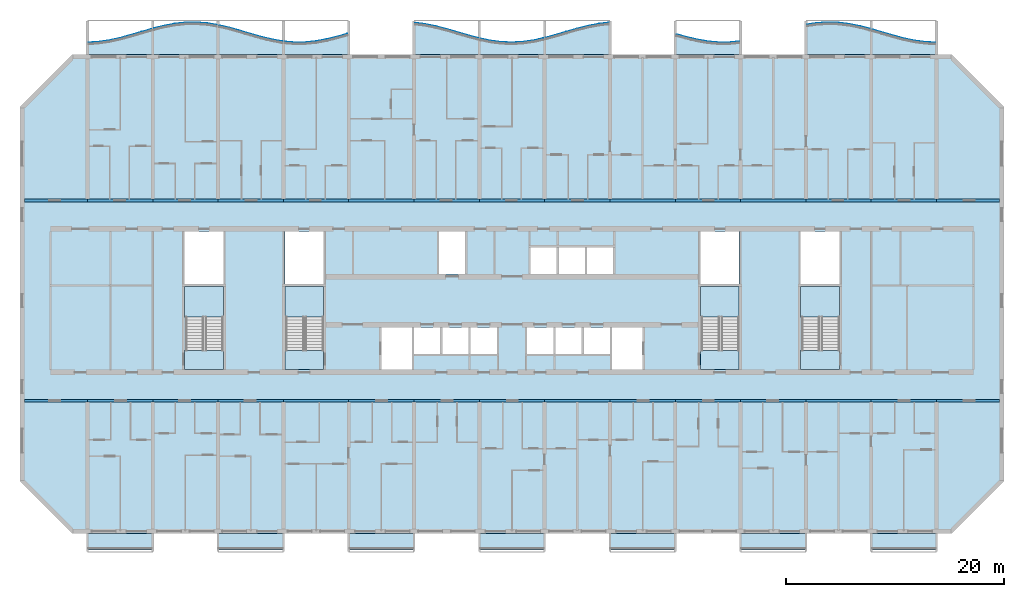
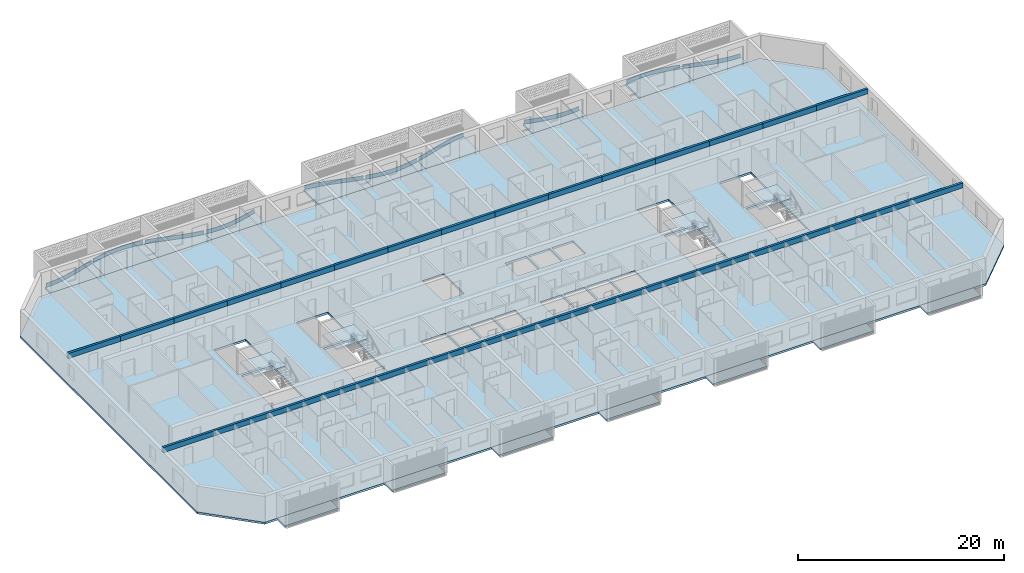
# One storey, part 1 of 27: 30 beams, 26 slabs, 10 plates, 4 elements without a shape of their own.
"""IFC4 building model written with IfcOpenShell, lengths in metres."""

from ifc_helpers import new_model, si_unit, direction, frame, origin, origin_2d, place, context, subcontext, project, spatial, polyline, rectangle, outline, extrude, source, transform, mapped, material, layer, layer_set, material_profile, profile_set, type_object, element, aggregate, save


model = new_model("IFC4")

# Units and contexts
model_context = context("Model", 3, precision=1e-05, world=origin(), true_north=direction((0.0, 1.0)))
body_context = subcontext(model_context, "Body", "Model", "MODEL_VIEW")
ifc_project = project(units=[si_unit("LENGTHUNIT", "METRE"), si_unit("AREAUNIT", "SQUARE_METRE"), si_unit("VOLUMEUNIT", "CUBIC_METRE"), si_unit("PLANEANGLEUNIT", "RADIAN"), si_unit("MASSUNIT", "GRAM", prefix="KILO")], contexts=[model_context])

# Site, building, storey
site_placement = place(None, origin())
site = spatial("IfcSite", under=ifc_project, at=site_placement, CompositionType="ELEMENT")
building_placement = place(site_placement, origin())
building = spatial("IfcBuilding", under=site, at=building_placement, Name="Poui Terraces", CompositionType="ELEMENT")
storey_placement = place(building_placement, frame((0.0, 0.0, 76.199951171875)))
storey = spatial("IfcBuildingStorey", under=building, at=storey_placement, Name="L20", CompositionType="ELEMENT", Elevation=76.199951171875)

# Beams
ifc_material_1 = material(Name="Concrete 65 MPa", Category="concrete")
ifc_material_profile = material_profile(ifc_material_1, rectangle(XDim=0.25, YDim=0.60009765625, at=origin_2d()), Name="RC 250x600")
ifc_profile_set = profile_set([ifc_material_profile], Name="Concrete 65 MPa")
beam_type = type_object("IfcBeamType", Name="COUPLING BEAM 250x600 65MPa", PredefinedType="BEAM", material=ifc_profile_set)
shared_shape_1 = source(origin(), body_context, "Body", "SweptSolid", [
    extrude(rectangle(XDim=0.25, YDim=0.60009765625, at=origin_2d()), origin(), (0.0, 0.0, 1.0), 5.800048828125),
])
for number, where, z_axis, x_axis, name in (
    (1, (6.199951171875, 12.0, 2.760009765625), (1.0, 0.0, 0.0), (0.0, 1.0, 0.0), "COUPLING BEAM LINE B BAY 1"),
    (2, (90.0, 12.0, 2.760009765625), (1.0, 0.0, 0.0), (0.0, 1.0, 0.0), "COUPLING BEAM LINE B BAY 15"),
    (3, (6.199951171875, 30.39990234375, 2.760009765625), (1.0, 0.0, 0.0), (0.0, 1.0, 0.0), "COUPLING BEAM LINE E BAY 1"),
    (4, (90.0, 30.39990234375, 2.760009765625), (1.0, 0.0, 0.0), (0.0, 1.0, 0.0), "COUPLING BEAM LINE E BAY 15"),
):
    element("IfcBeam", number, at=place(storey_placement, frame(where, z_axis=z_axis, x_axis=x_axis)), inside=storey, type_object=beam_type, Name=name, PredefinedType="BEAM", context=body_context, shape_type="MappedRepresentation", body=[
        mapped(shared_shape_1, transform((0.0, 0.0, 0.0))),
    ])
shared_shape_2 = source(origin(), body_context, "Body", "SweptSolid", [
    extrude(rectangle(XDim=0.25, YDim=0.60009765625, at=origin_2d()), origin(), (0.0, 0.0, 1.0), 6.0),
])
for number, where, z_axis, x_axis, name in (
    (5, (12.0, 12.0, 2.760009765625), (1.0, 0.0, 0.0), (0.0, 1.0, 0.0), "COUPLING BEAM LINE B BAY 2"),
    (6, (18.0, 12.0, 2.760009765625), (1.0, 0.0, 0.0), (0.0, 1.0, 0.0), "COUPLING BEAM LINE B BAY 3"),
    (7, (24.0, 12.0, 2.760009765625), (1.0, 0.0, 0.0), (0.0, 1.0, 0.0), "COUPLING BEAM LINE B BAY 4"),
    (8, (30.0, 12.0, 2.760009765625), (1.0, 0.0, 0.0), (0.0, 1.0, 0.0), "COUPLING BEAM LINE B BAY 5"),
    (9, (36.0, 12.0, 2.760009765625), (1.0, 0.0, 0.0), (0.0, 1.0, 0.0), "COUPLING BEAM LINE B BAY 6"),
    (10, (42.0, 12.0, 2.760009765625), (1.0, 0.0, 0.0), (0.0, 1.0, 0.0), "COUPLING BEAM LINE B BAY 7"),
    (11, (48.0, 12.0, 2.760009765625), (1.0, 0.0, 0.0), (0.0, 1.0, 0.0), "COUPLING BEAM LINE B BAY 8"),
    (12, (54.0, 12.0, 2.760009765625), (1.0, 0.0, 0.0), (0.0, 1.0, 0.0), "COUPLING BEAM LINE B BAY 9"),
    (13, (60.0, 12.0, 2.760009765625), (1.0, 0.0, 0.0), (0.0, 1.0, 0.0), "COUPLING BEAM LINE B BAY 10"),
    (14, (66.0, 12.0, 2.760009765625), (1.0, 0.0, 0.0), (0.0, 1.0, 0.0), "COUPLING BEAM LINE B BAY 11"),
    (15, (72.0, 12.0, 2.760009765625), (1.0, 0.0, 0.0), (0.0, 1.0, 0.0), "COUPLING BEAM LINE B BAY 12"),
    (16, (78.0, 12.0, 2.760009765625), (1.0, 0.0, 0.0), (0.0, 1.0, 0.0), "COUPLING BEAM LINE B BAY 13"),
    (17, (84.0, 12.0, 2.760009765625), (1.0, 0.0, 0.0), (0.0, 1.0, 0.0), "COUPLING BEAM LINE B BAY 14"),
    (18, (12.0, 30.39990234375, 2.760009765625), (1.0, 0.0, 0.0), (0.0, 1.0, 0.0), "COUPLING BEAM LINE E BAY 2"),
    (19, (18.0, 30.39990234375, 2.760009765625), (1.0, 0.0, 0.0), (0.0, 1.0, 0.0), "COUPLING BEAM LINE E BAY 3"),
    (20, (24.0, 30.39990234375, 2.760009765625), (1.0, 0.0, 0.0), (0.0, 1.0, 0.0), "COUPLING BEAM LINE E BAY 4"),
    (21, (30.0, 30.39990234375, 2.760009765625), (1.0, 0.0, 0.0), (0.0, 1.0, 0.0), "COUPLING BEAM LINE E BAY 5"),
    (22, (36.0, 30.39990234375, 2.760009765625), (1.0, 0.0, 0.0), (0.0, 1.0, 0.0), "COUPLING BEAM LINE E BAY 6"),
    (23, (42.0, 30.39990234375, 2.760009765625), (1.0, 0.0, 0.0), (0.0, 1.0, 0.0), "COUPLING BEAM LINE E BAY 7"),
    (24, (48.0, 30.39990234375, 2.760009765625), (1.0, 0.0, 0.0), (0.0, 1.0, 0.0), "COUPLING BEAM LINE E BAY 8"),
    (25, (54.0, 30.39990234375, 2.760009765625), (1.0, 0.0, 0.0), (0.0, 1.0, 0.0), "COUPLING BEAM LINE E BAY 9"),
    (26, (60.0, 30.39990234375, 2.760009765625), (1.0, 0.0, 0.0), (0.0, 1.0, 0.0), "COUPLING BEAM LINE E BAY 10"),
    (27, (66.0, 30.39990234375, 2.760009765625), (1.0, 0.0, 0.0), (0.0, 1.0, 0.0), "COUPLING BEAM LINE E BAY 11"),
    (28, (72.0, 30.39990234375, 2.760009765625), (1.0, 0.0, 0.0), (0.0, 1.0, 0.0), "COUPLING BEAM LINE E BAY 12"),
    (29, (78.0, 30.39990234375, 2.760009765625), (1.0, 0.0, 0.0), (0.0, 1.0, 0.0), "COUPLING BEAM LINE E BAY 13"),
    (30, (84.0, 30.39990234375, 2.760009765625), (1.0, 0.0, 0.0), (0.0, 1.0, 0.0), "COUPLING BEAM LINE E BAY 14"),
):
    element("IfcBeam", number, at=place(storey_placement, frame(where, z_axis=z_axis, x_axis=x_axis)), inside=storey, type_object=beam_type, Name=name, PredefinedType="BEAM", context=body_context, shape_type="MappedRepresentation", body=[
        mapped(shared_shape_2, transform((0.0, 0.0, 0.0))),
    ])

# Slabs
ifc_material_2 = material(Name="Precast concrete 40 MPa", Category="concrete")
ifc_layer_1 = layer(ifc_material_2, 0.199951171875)
ifc_layer_set_1 = layer_set([ifc_layer_1], Name="Precast concrete 40 MPa")
slab_type_1 = type_object("IfcSlabType", Name="BALCONY SLAB 200", PredefinedType="FLOOR", material=ifc_layer_set_1)
slab_1_placement = place(storey_placement, frame((0.0, 0.0, -0.199951171875)))
element("IfcSlab", 31, at=slab_1_placement, inside=storey, type_object=slab_type_1, Name="BALCONY SLAB", PredefinedType="FLOOR", context=body_context, shape_type="SweptSolid", body=[
    extrude(outline(polyline([(12.0, 43.800048828125), (18.0, 43.800048828125), (18.0, 46.176025390625), (17.0, 45.886962890625), (16.0, 45.591552734375), (15.0, 45.3203125), (14.0, 45.1005859375), (13.0, 44.955810546875), (12.0, 44.900390625), (12.0, 43.800048828125)])), origin(), (0.0, 0.0, 1.0), 0.199951171875),
])
slab_2_placement = place(storey_placement, frame((0.0, 0.0, -0.199951171875)))
element("IfcSlab", 32, at=slab_2_placement, inside=storey, type_object=slab_type_1, Name="BALCONY SLAB", PredefinedType="FLOOR", context=body_context, shape_type="SweptSolid", body=[
    extrude(outline(polyline([(18.0, 43.800048828125), (24.0, 43.800048828125), (24.0, 46.500732421875), (23.0, 46.666015625), (22.0, 46.74462890625), (21.0, 46.728759765625), (20.0, 46.619873046875), (19.0, 46.428955078125), (18.0, 46.176025390625), (18.0, 43.800048828125)])), origin(), (0.0, 0.0, 1.0), 0.199951171875),
])
slab_3_placement = place(storey_placement, frame((0.0, 0.0, -0.199951171875)))
element("IfcSlab", 33, at=slab_3_placement, inside=storey, type_object=slab_type_1, Name="BALCONY SLAB", PredefinedType="FLOOR", context=body_context, shape_type="SweptSolid", body=[
    extrude(outline(polyline([(24.0, 43.800048828125), (30.0, 43.800048828125), (30.0, 44.99462890625), (29.0, 45.16650390625), (28.0, 45.40625), (27.0, 45.68896484375), (26.0, 45.985595703125), (25.0, 46.265869140625), (24.0, 46.500732421875), (24.0, 43.800048828125)])), origin(), (0.0, 0.0, 1.0), 0.199951171875),
])
slab_4_placement = place(storey_placement, frame((0.0, 0.0, -0.199951171875)))
element("IfcSlab", 34, at=slab_4_placement, inside=storey, type_object=slab_type_1, Name="BALCONY SLAB", PredefinedType="FLOOR", context=body_context, shape_type="SweptSolid", body=[
    extrude(outline(polyline([(30.0, 43.800048828125), (36.0, 43.800048828125), (36.0, 45.73828125), (35.0, 45.450927734375), (34.0, 45.202392578125), (33.0, 45.017822265625), (32.0, 44.916259765625), (31.0, 44.908203125), (30.0, 44.99462890625), (30.0, 43.800048828125)])), origin(), (0.0, 0.0, 1.0), 0.199951171875),
])
slab_5_placement = place(storey_placement, frame((0.0, 0.0, -0.199951171875)))
element("IfcSlab", 35, at=slab_5_placement, inside=storey, type_object=slab_type_1, Name="BALCONY SLAB", PredefinedType="FLOOR", context=body_context, shape_type="SweptSolid", body=[
    extrude(outline(polyline([(42.0, 43.800048828125), (48.0, 43.800048828125), (48.0, 45.279296875), (47.0, 45.5439453125), (46.0, 45.83740234375), (45.0, 46.129638671875), (44.0, 46.390625), (43.0, 46.59326171875), (42.0, 46.716796875), (42.0, 43.800048828125)])), origin(), (0.0, 0.0, 1.0), 0.199951171875),
])
slab_6_placement = place(storey_placement, frame((0.0, 0.0, -0.199951171875)))
element("IfcSlab", 36, at=slab_6_placement, inside=storey, type_object=slab_type_1, Name="BALCONY SLAB", PredefinedType="FLOOR", context=body_context, shape_type="SweptSolid", body=[
    extrude(outline(polyline([(48.0, 43.800048828125), (54.0, 43.800048828125), (54.0, 45.3203125), (53.0, 45.1005859375), (52.0, 44.955810546875), (51.0, 44.900390625), (50.0, 44.940185546875), (49.0, 45.07080078125), (48.0, 45.279296875), (48.0, 43.800048828125)])), origin(), (0.0, 0.0, 1.0), 0.199951171875),
])
slab_7_placement = place(storey_placement, frame((0.0, 0.0, -0.199951171875)))
element("IfcSlab", 37, at=slab_7_placement, inside=storey, type_object=slab_type_1, Name="BALCONY SLAB", PredefinedType="FLOOR", context=body_context, shape_type="SweptSolid", body=[
    extrude(outline(polyline([(54.0, 43.800048828125), (60.0, 43.800048828125), (60.0, 46.728759765625), (59.0, 46.619873046875), (58.0, 46.428955078125), (57.0, 46.176025390625), (56.0, 45.886962890625), (55.0, 45.591552734375), (54.0, 45.3203125), (54.0, 43.800048828125)])), origin(), (0.0, 0.0, 1.0), 0.199951171875),
])
slab_8_placement = place(storey_placement, frame((0.0, 0.0, -0.199951171875)))
element("IfcSlab", 38, at=slab_8_placement, inside=storey, type_object=slab_type_1, Name="BALCONY SLAB", PredefinedType="FLOOR", context=body_context, shape_type="SweptSolid", body=[
    extrude(outline(polyline([(66.0, 43.800048828125), (72.0, 43.800048828125), (72.0, 45.017822265625), (71.0, 44.916259765625), (70.0, 44.908203125), (69.0, 44.99462890625), (68.0, 45.16650390625), (67.0, 45.40625), (66.0, 45.68896484375), (66.0, 43.800048828125)])), origin(), (0.0, 0.0, 1.0), 0.199951171875),
])
slab_9_placement = place(storey_placement, frame((0.0, 0.0, -0.199951171875)))
element("IfcSlab", 39, at=slab_9_placement, inside=storey, type_object=slab_type_1, Name="BALCONY SLAB", PredefinedType="FLOOR", context=body_context, shape_type="SweptSolid", body=[
    extrude(outline(polyline([(78.0, 43.800048828125), (84.0, 43.800048828125), (84.0, 46.129638671875), (83.0, 46.390625), (82.0, 46.59326171875), (81.0, 46.716796875), (80.0, 46.748779296875), (79.0, 46.685302734375), (78.0, 46.53369140625), (78.0, 43.800048828125)])), origin(), (0.0, 0.0, 1.0), 0.199951171875),
])
slab_10_placement = place(storey_placement, frame((0.0, 0.0, -0.199951171875)))
element("IfcSlab", 40, at=slab_10_placement, inside=storey, type_object=slab_type_1, Name="BALCONY SLAB", PredefinedType="FLOOR", context=body_context, shape_type="SweptSolid", body=[
    extrude(outline(polyline([(84.0, 43.800048828125), (90.0, 43.800048828125), (90.0, 44.900390625), (89.0, 44.940185546875), (88.0, 45.07080078125), (87.0, 45.279296875), (86.0, 45.5439453125), (85.0, 45.83740234375), (84.0, 46.129638671875), (84.0, 43.800048828125)])), origin(), (0.0, 0.0, 1.0), 0.199951171875),
])

# Stair, slabs
stair_type = type_object("IfcStairType", Name="EXIT STAIR 1650 65 MPA", PredefinedType="HALF_TURN_STAIR", material=ifc_material_1)
stair_1_placement = place(storey_placement, origin())
stair_1 = element("IfcStair", 41, at=stair_1_placement, inside=storey, type_object=stair_type, Name="L20 CORE STAIR EAST", PredefinedType="HALF_TURN_STAIR")
ifc_layer_2 = layer(ifc_material_1, 0.199951171875)
ifc_layer_set_2 = layer_set([ifc_layer_2], Name="Concrete 65 MPa")
slab_type_2 = type_object("IfcSlabType", Name="STAIR LANDING 200 65 MPA", PredefinedType="LANDING", material=ifc_layer_set_2)
slab_11_placement = place(storey_placement, frame((0.0, 0.0, 1.449951171875)))
slab_11 = element("IfcSlab", 42, at=slab_11_placement, type_object=slab_type_2, Name="ST-CE landing 1", PredefinedType="LANDING", context=body_context, shape_type="SweptSolid", body=[
    extrude(outline(polyline([(68.324951171875, 19.679931640625), (71.875, 19.679931640625), (71.875, 22.47509765625), (68.324951171875, 22.47509765625), (68.324951171875, 19.679931640625)])), origin(), (0.0, 0.0, 1.0), 0.2001953125),
])
slab_12_placement = place(storey_placement, frame((0.0, 0.0, -0.199951171875)))
slab_12 = element("IfcSlab", 43, at=slab_12_placement, type_object=slab_type_2, Name="ST-CE landing 2", PredefinedType="LANDING", context=body_context, shape_type="SweptSolid", body=[
    extrude(outline(polyline([(68.324951171875, 14.85009765625), (71.875, 14.85009765625), (71.875, 16.60009765625), (68.324951171875, 16.60009765625), (68.324951171875, 14.85009765625)])), origin(), (0.0, 0.0, 1.0), 0.199951171875),
])
aggregate(stair_1, [slab_11, slab_12])

stair_2_placement = place(storey_placement, origin())
stair_2 = element("IfcStair", 44, at=stair_2_placement, inside=storey, type_object=stair_type, Name="L20 CORE STAIR WEST", PredefinedType="HALF_TURN_STAIR")
slab_13_placement = place(storey_placement, frame((0.0, 0.0, 1.449951171875)))
slab_13 = element("IfcSlab", 45, at=slab_13_placement, type_object=slab_type_2, Name="ST-CW landing 1", PredefinedType="LANDING", context=body_context, shape_type="SweptSolid", body=[
    extrude(outline(polyline([(30.125, 19.679931640625), (33.675048828125, 19.679931640625), (33.675048828125, 22.47509765625), (30.125, 22.47509765625), (30.125, 19.679931640625)])), origin(), (0.0, 0.0, 1.0), 0.2001953125),
])
slab_14_placement = place(storey_placement, frame((0.0, 0.0, -0.199951171875)))
slab_14 = element("IfcSlab", 46, at=slab_14_placement, type_object=slab_type_2, Name="ST-CW landing 2", PredefinedType="LANDING", context=body_context, shape_type="SweptSolid", body=[
    extrude(outline(polyline([(30.125, 14.85009765625), (33.675048828125, 14.85009765625), (33.675048828125, 16.60009765625), (30.125, 16.60009765625), (30.125, 14.85009765625)])), origin(), (0.0, 0.0, 1.0), 0.199951171875),
])
aggregate(stair_2, [slab_13, slab_14])

stair_3_placement = place(storey_placement, origin())
stair_3 = element("IfcStair", 47, at=stair_3_placement, inside=storey, type_object=stair_type, Name="L20 TIP STAIR EAST", PredefinedType="HALF_TURN_STAIR")
slab_15_placement = place(storey_placement, frame((0.0, 0.0, 1.449951171875)))
slab_15 = element("IfcSlab", 48, at=slab_15_placement, type_object=slab_type_2, Name="ST-E landing 1", PredefinedType="LANDING", context=body_context, shape_type="SweptSolid", body=[
    extrude(outline(polyline([(77.52490234375, 19.679931640625), (81.074951171875, 19.679931640625), (81.074951171875, 22.47509765625), (77.52490234375, 22.47509765625), (77.52490234375, 19.679931640625)])), origin(), (0.0, 0.0, 1.0), 0.2001953125),
])
slab_16_placement = place(storey_placement, frame((0.0, 0.0, -0.199951171875)))
slab_16 = element("IfcSlab", 49, at=slab_16_placement, type_object=slab_type_2, Name="ST-E landing 2", PredefinedType="LANDING", context=body_context, shape_type="SweptSolid", body=[
    extrude(outline(polyline([(77.52490234375, 14.85009765625), (81.074951171875, 14.85009765625), (81.074951171875, 16.60009765625), (77.52490234375, 16.60009765625), (77.52490234375, 14.85009765625)])), origin(), (0.0, 0.0, 1.0), 0.199951171875),
])
aggregate(stair_3, [slab_15, slab_16])

stair_4_placement = place(storey_placement, origin())
stair_4 = element("IfcStair", 50, at=stair_4_placement, inside=storey, type_object=stair_type, Name="L20 TIP STAIR WEST", PredefinedType="HALF_TURN_STAIR")
slab_17_placement = place(storey_placement, frame((0.0, 0.0, 1.449951171875)))
slab_17 = element("IfcSlab", 51, at=slab_17_placement, type_object=slab_type_2, Name="ST-W landing 1", PredefinedType="LANDING", context=body_context, shape_type="SweptSolid", body=[
    extrude(outline(polyline([(20.925048828125, 19.679931640625), (24.47509765625, 19.679931640625), (24.47509765625, 22.47509765625), (20.925048828125, 22.47509765625), (20.925048828125, 19.679931640625)])), origin(), (0.0, 0.0, 1.0), 0.2001953125),
])
slab_18_placement = place(storey_placement, frame((0.0, 0.0, -0.199951171875)))
slab_18 = element("IfcSlab", 52, at=slab_18_placement, type_object=slab_type_2, Name="ST-W landing 2", PredefinedType="LANDING", context=body_context, shape_type="SweptSolid", body=[
    extrude(outline(polyline([(20.925048828125, 14.85009765625), (24.47509765625, 14.85009765625), (24.47509765625, 16.60009765625), (20.925048828125, 16.60009765625), (20.925048828125, 14.85009765625)])), origin(), (0.0, 0.0, 1.0), 0.199951171875),
])
aggregate(stair_4, [slab_17, slab_18])

# Plates
ifc_layer_3 = layer(ifc_material_2, 0.080078125)
ifc_layer_set_3 = layer_set([ifc_layer_3], Name="Precast concrete 40 MPa")
plate_type = type_object("IfcPlateType", Name="SUNSHADE UPSTAND 80", PredefinedType="SHEET", material=ifc_layer_set_3)
plate_1_placement = place(storey_placement, origin())
element("IfcPlate", 53, at=plate_1_placement, inside=storey, type_object=plate_type, Name="SUNSHADE UPSTAND", PredefinedType="SHEET", context=body_context, shape_type="SweptSolid", body=[
    extrude(outline(polyline([(12.995849609375, 44.95068359375), (12.12255859375, 44.89697265625), (12.12744140625, 44.817138671875), (13.004150390625, 44.87109375), (14.007080078125, 45.016357421875), (15.009521484375, 45.236328125), (16.010986328125, 45.508056640625), (17.01123046875, 45.8037109375), (17.88623046875, 46.05810546875), (17.86376953125, 46.134765625), (16.98876953125, 45.88037109375), (15.989013671875, 45.585205078125), (14.990478515625, 45.31396484375), (13.992919921875, 45.09521484375), (12.995849609375, 44.95068359375)])), origin(), (0.0, 0.0, 1.0), 0.449951171875),
])
plate_2_placement = place(storey_placement, origin())
element("IfcPlate", 54, at=plate_2_placement, inside=storey, type_object=plate_type, Name="SUNSHADE UPSTAND", PredefinedType="SHEET", context=body_context, shape_type="SweptSolid", body=[
    extrude(outline(polyline([(18.991455078125, 46.423095703125), (18.115234375, 46.2041015625), (18.134765625, 46.12646484375), (19.008544921875, 46.344970703125), (20.005859375, 46.53515625), (21.00244140625, 46.643798828125), (21.998779296875, 46.65966796875), (22.995361328125, 46.581298828125), (23.86865234375, 46.441162109375), (23.88134765625, 46.52001953125), (23.004638671875, 46.66064453125), (22.001220703125, 46.73974609375), (20.99755859375, 46.7236328125), (19.994140625, 46.614501953125), (18.991455078125, 46.423095703125)])), origin(), (0.0, 0.0, 1.0), 0.449951171875),
])
plate_3_placement = place(storey_placement, origin())
element("IfcPlate", 55, at=plate_3_placement, inside=storey, type_object=plate_type, Name="SUNSHADE UPSTAND", PredefinedType="SHEET", context=body_context, shape_type="SweptSolid", body=[
    extrude(outline(polyline([(25.010009765625, 46.259521484375), (24.13427734375, 46.468505859375), (24.11572265625, 46.390869140625), (24.989990234375, 46.18212890625), (25.989013671875, 45.902099609375), (26.989013671875, 45.60546875), (27.989990234375, 45.322509765625), (28.99169921875, 45.08251953125), (29.867919921875, 44.927490234375), (29.882080078125, 45.006103515625), (29.00830078125, 45.16064453125), (28.010009765625, 45.39990234375), (27.010986328125, 45.682373046875), (26.010986328125, 45.97900390625), (25.010009765625, 46.259521484375)])), origin(), (0.0, 0.0, 1.0), 0.449951171875),
])
plate_4_placement = place(storey_placement, origin())
element("IfcPlate", 56, at=plate_4_placement, inside=storey, type_object=plate_type, Name="SUNSHADE UPSTAND", PredefinedType="SHEET", context=body_context, shape_type="SweptSolid", body=[
    extrude(outline(polyline([(31.00146484375, 44.9033203125), (30.128173828125, 44.973876953125), (30.121826171875, 44.89404296875), (30.99853515625, 44.8232421875), (32.002197265625, 44.831298828125), (33.005615234375, 44.93310546875), (34.008544921875, 45.118408203125), (35.01025390625, 45.367431640625), (35.885986328125, 45.61767578125), (35.864013671875, 45.694580078125), (34.98974609375, 45.444580078125), (33.991455078125, 45.196533203125), (32.994384765625, 45.012451171875), (31.997802734375, 44.911376953125), (31.00146484375, 44.9033203125)])), origin(), (0.0, 0.0, 1.0), 0.449951171875),
])
plate_5_placement = place(storey_placement, origin())
element("IfcPlate", 57, at=plate_5_placement, inside=storey, type_object=plate_type, Name="SUNSHADE UPSTAND", PredefinedType="SHEET", context=body_context, shape_type="SweptSolid", body=[
    extrude(outline(polyline([(43.006591796875, 46.587646484375), (42.1572265625, 46.697509765625), (42.130126953125, 46.70068359375), (42.119873046875, 46.62158203125), (42.993408203125, 46.5087890625), (43.990966796875, 46.306640625), (44.9892578125, 46.046142578125), (45.98876953125, 45.75390625), (46.9892578125, 45.46044921875), (47.86474609375, 45.226318359375), (47.88525390625, 45.303466796875), (47.0107421875, 45.537353515625), (46.01123046875, 45.830810546875), (45.0107421875, 46.123291015625), (44.009033203125, 46.384521484375), (43.006591796875, 46.587646484375)])), origin(), (0.0, 0.0, 1.0), 0.449951171875),
])
plate_6_placement = place(storey_placement, origin())
element("IfcPlate", 58, at=plate_6_placement, inside=storey, type_object=plate_type, Name="SUNSHADE UPSTAND", PredefinedType="SHEET", context=body_context, shape_type="SweptSolid", body=[
    extrude(outline(polyline([(49.006591796875, 45.065185546875), (48.133056640625, 45.243896484375), (48.116943359375, 45.16552734375), (48.993408203125, 44.986328125), (49.99658203125, 44.855224609375), (51.000244140625, 44.815185546875), (52.00390625, 44.870849609375), (53.007080078125, 45.016357421875), (53.88330078125, 45.205322265625), (53.86669921875, 45.283447265625), (52.992919921875, 45.09521484375), (51.99609375, 44.95068359375), (50.999755859375, 44.8955078125), (50.00341796875, 44.93505859375), (49.006591796875, 45.065185546875)])), origin(), (0.0, 0.0, 1.0), 0.449951171875),
])
plate_7_placement = place(storey_placement, origin())
element("IfcPlate", 59, at=plate_7_placement, inside=storey, type_object=plate_type, Name="SUNSHADE UPSTAND", PredefinedType="SHEET", context=body_context, shape_type="SweptSolid", body=[
    extrude(outline(polyline([(54.989013671875, 45.585205078125), (54.114501953125, 45.345458984375), (54.135498046875, 45.268310546875), (55.010986328125, 45.508056640625), (56.01123046875, 45.8037109375), (57.010498046875, 46.092529296875), (58.0087890625, 46.344970703125), (59.006103515625, 46.53515625), (59.879638671875, 46.63525390625), (59.87060546875, 46.714599609375), (59.838134765625, 46.711181640625), (58.993896484375, 46.614501953125), (57.9912109375, 46.423095703125), (56.989501953125, 46.169677734375), (55.98876953125, 45.88037109375), (54.989013671875, 45.585205078125)])), origin(), (0.0, 0.0, 1.0), 0.449951171875),
])
plate_8_placement = place(storey_placement, origin())
element("IfcPlate", 60, at=plate_8_placement, inside=storey, type_object=plate_type, Name="SUNSHADE UPSTAND", PredefinedType="SHEET", context=body_context, shape_type="SweptSolid", body=[
    extrude(outline(polyline([(67.010009765625, 45.39990234375), (66.1357421875, 45.645751953125), (66.1142578125, 45.568603515625), (66.989990234375, 45.322509765625), (67.991943359375, 45.082275390625), (68.994873046875, 44.909912109375), (69.998291015625, 44.8232421875), (71.002197265625, 44.831298828125), (71.87890625, 44.915283203125), (71.87109375, 44.9951171875), (70.997802734375, 44.911376953125), (70.001708984375, 44.9033203125), (69.005126953125, 44.989501953125), (68.008056640625, 45.160888671875), (67.010009765625, 45.39990234375)])), origin(), (0.0, 0.0, 1.0), 0.449951171875),
])
plate_9_placement = place(storey_placement, origin())
element("IfcPlate", 61, at=plate_9_placement, inside=storey, type_object=plate_type, Name="SUNSHADE UPSTAND", PredefinedType="SHEET", context=body_context, shape_type="SweptSolid", body=[
    extrude(outline(polyline([(78.995849609375, 46.68017578125), (78.119140625, 46.551513671875), (78.130859375, 46.472412109375), (79.004150390625, 46.6005859375), (80.00048828125, 46.66357421875), (80.996826171875, 46.6318359375), (81.99365234375, 46.5087890625), (82.990966796875, 46.306640625), (83.864990234375, 46.080810546875), (83.885009765625, 46.158203125), (83.009033203125, 46.384521484375), (82.00634765625, 46.587890625), (81.003173828125, 46.7119140625), (79.99951171875, 46.74365234375), (78.995849609375, 46.68017578125)])), origin(), (0.0, 0.0, 1.0), 0.449951171875),
])
plate_10_placement = place(storey_placement, origin())
element("IfcPlate", 62, at=plate_10_placement, inside=storey, type_object=plate_type, Name="SUNSHADE UPSTAND", PredefinedType="SHEET", context=body_context, shape_type="SweptSolid", body=[
    extrude(outline(polyline([(85.01123046875, 45.830810546875), (84.13623046875, 46.087646484375), (84.11376953125, 46.010986328125), (84.98876953125, 45.75390625), (85.9892578125, 45.46044921875), (86.99072265625, 45.1953125), (87.993408203125, 44.986328125), (88.99658203125, 44.855224609375), (89.873291015625, 44.815185546875), (89.876708984375, 44.89501953125), (89.00341796875, 44.934814453125), (88.006591796875, 45.065185546875), (87.00927734375, 45.273193359375), (86.0107421875, 45.537353515625), (85.01123046875, 45.830810546875)])), origin(), (0.0, 0.0, 1.0), 0.449951171875),
])

# Slabs
ifc_material_3 = material(Name="Concrete 40 MPa", Category="concrete")
ifc_layer_4 = layer(ifc_material_3, 0.239990234375)
ifc_layer_set_4 = layer_set([ifc_layer_4], Name="Concrete 40 MPa")
slab_type_3 = type_object("IfcSlabType", Name="FLOOR SLAB 240", PredefinedType="FLOOR", material=ifc_layer_set_4)
shared_shape_3 = source(origin(), body_context, "Body", "SweptSolid", [
    extrude(outline(polyline([(0.0, 0.0), (4.800048828125, -4.800048828125), (85.599853515625, -4.800048828125), (90.39990234375, 0.0), (90.39990234375, 34.39990234375), (85.599853515625, 39.199951171875), (4.800048828125, 39.199951171875), (0.0, 34.39990234375), (0.0, 0.0)]), holes=[polyline([(33.199951171875, 10.25), (33.199951171875, 14.14990234375), (36.0, 14.14990234375), (36.0, 10.25), (33.199951171875, 10.25)]), polyline([(36.199951171875, 11.699951171875), (36.199951171875, 14.14990234375), (38.599853515625, 14.14990234375), (38.599853515625, 11.699951171875), (36.199951171875, 11.699951171875)]), polyline([(38.800048828125, 11.699951171875), (38.800048828125, 14.14990234375), (41.199951171875, 14.14990234375), (41.199951171875, 11.699951171875), (38.800048828125, 11.699951171875)]), polyline([(41.39990234375, 14.14990234375), (43.800048828125, 14.14990234375), (43.800048828125, 11.699951171875), (41.39990234375, 11.699951171875), (41.39990234375, 14.14990234375)]), polyline([(46.599853515625, 14.14990234375), (49.0, 14.14990234375), (49.0, 11.699951171875), (46.599853515625, 11.699951171875), (46.599853515625, 14.14990234375)]), polyline([(15.224853515625, 17.849853515625), (18.675048828125, 17.849853515625), (18.675048828125, 12.0), (18.675048828125, 10.25), (15.125, 10.25), (15.125, 12.0), (15.224853515625, 12.0), (15.224853515625, 17.849853515625)]), polyline([(24.425048828125, 17.849853515625), (27.875, 17.849853515625), (27.875, 12.0), (27.875, 10.25), (24.324951171875, 10.25), (24.324951171875, 12.0), (24.425048828125, 12.0), (24.425048828125, 17.849853515625)]), polyline([(15.125, 18.125), (15.125, 22.949951171875), (18.675048828125, 22.949951171875), (18.675048828125, 18.125), (15.125, 18.125)]), polyline([(24.324951171875, 22.949951171875), (27.875, 22.949951171875), (27.875, 18.125), (24.324951171875, 18.125), (24.324951171875, 22.949951171875)]), polyline([(38.5, 22.949951171875), (40.89990234375, 22.949951171875), (40.89990234375, 19.0498046875), (38.5, 19.0498046875), (38.5, 22.949951171875)]), polyline([(54.39990234375, 10.25), (54.39990234375, 14.14990234375), (57.199951171875, 14.14990234375), (57.199951171875, 10.25), (54.39990234375, 10.25)]), polyline([(49.199951171875, 11.699951171875), (49.199951171875, 14.14990234375), (51.599853515625, 14.14990234375), (51.599853515625, 11.699951171875), (49.199951171875, 11.699951171875)]), polyline([(51.800048828125, 11.699951171875), (51.800048828125, 14.14990234375), (54.199951171875, 14.14990234375), (54.199951171875, 11.699951171875), (51.800048828125, 11.699951171875)]), polyline([(66.074951171875, 17.849853515625), (66.074951171875, 12.0), (66.074951171875, 10.25), (62.52490234375, 10.25), (62.52490234375, 12.0), (62.625, 12.0), (62.625, 17.849853515625), (66.074951171875, 17.849853515625)]), polyline([(75.27490234375, 17.849853515625), (75.27490234375, 12.0), (75.27490234375, 10.25), (71.724853515625, 10.25), (71.724853515625, 12.0), (71.824951171875, 12.0), (71.824951171875, 17.849853515625), (75.27490234375, 17.849853515625)]), polyline([(46.89990234375, 19.0498046875), (46.89990234375, 21.5), (49.300048828125, 21.5), (49.300048828125, 19.0498046875), (46.89990234375, 19.0498046875)]), polyline([(49.5, 19.0498046875), (49.5, 21.5), (51.89990234375, 21.5), (51.89990234375, 19.0498046875), (49.5, 19.0498046875)]), polyline([(52.099853515625, 19.0498046875), (52.099853515625, 21.5), (54.5, 21.5), (54.5, 19.0498046875), (52.099853515625, 19.0498046875)]), polyline([(62.52490234375, 22.949951171875), (66.074951171875, 22.949951171875), (66.074951171875, 18.125), (62.52490234375, 18.125), (62.52490234375, 22.949951171875)]), polyline([(71.724853515625, 22.949951171875), (75.27490234375, 22.949951171875), (75.27490234375, 18.125), (71.724853515625, 18.125), (71.724853515625, 22.949951171875)])]), origin(), (0.0, 0.0, 1.0), 0.239990234375),
])
slab_19_placement = place(storey_placement, frame((5.800048828125, 4.60009765625, -0.239990234375)))
element("IfcSlab", 63, at=slab_19_placement, inside=storey, type_object=slab_type_3, Name="FLOOR SLAB", PredefinedType="FLOOR", context=body_context, shape_type="MappedRepresentation", body=[
    mapped(shared_shape_3, transform((0.0, 0.0, 0.0))),
])
ifc_layer_5 = layer(ifc_material_2, 0.199951171875)
ifc_layer_set_5 = layer_set([ifc_layer_5], Name="Precast concrete 40 MPa")
slab_type_4 = type_object("IfcSlabType", Name="REAR BALCONY SLAB 200", PredefinedType="FLOOR", material=ifc_layer_set_5)
shared_shape_4 = source(origin(), body_context, "Body", "SweptSolid", [
    extrude(outline(polyline([(0.0, 0.0), (6.0, 0.0), (6.0, 1.5), (0.0, 1.5), (0.0, 0.0)])), origin(), (0.0, 0.0, 1.0), 0.199951171875),
])
for number, where, name in (
    (64, (12.0, -1.699951171875, -0.199951171875), "REAR BALCONY SLAB"),
    (65, (24.0, -1.699951171875, -0.199951171875), "REAR BALCONY SLAB"),
    (66, (36.0, -1.699951171875, -0.199951171875), "REAR BALCONY SLAB"),
    (67, (48.0, -1.699951171875, -0.199951171875), "REAR BALCONY SLAB"),
    (68, (60.0, -1.699951171875, -0.199951171875), "REAR BALCONY SLAB"),
    (69, (72.0, -1.699951171875, -0.199951171875), "REAR BALCONY SLAB"),
    (70, (84.0, -1.699951171875, -0.199951171875), "REAR BALCONY SLAB"),
):
    element("IfcSlab", number, at=place(storey_placement, frame(where)), inside=storey, type_object=slab_type_4, Name=name, PredefinedType="FLOOR", context=body_context, shape_type="MappedRepresentation", body=[
        mapped(shared_shape_4, transform((0.0, 0.0, 0.0))),
    ])

save(model, "model.ifc")
